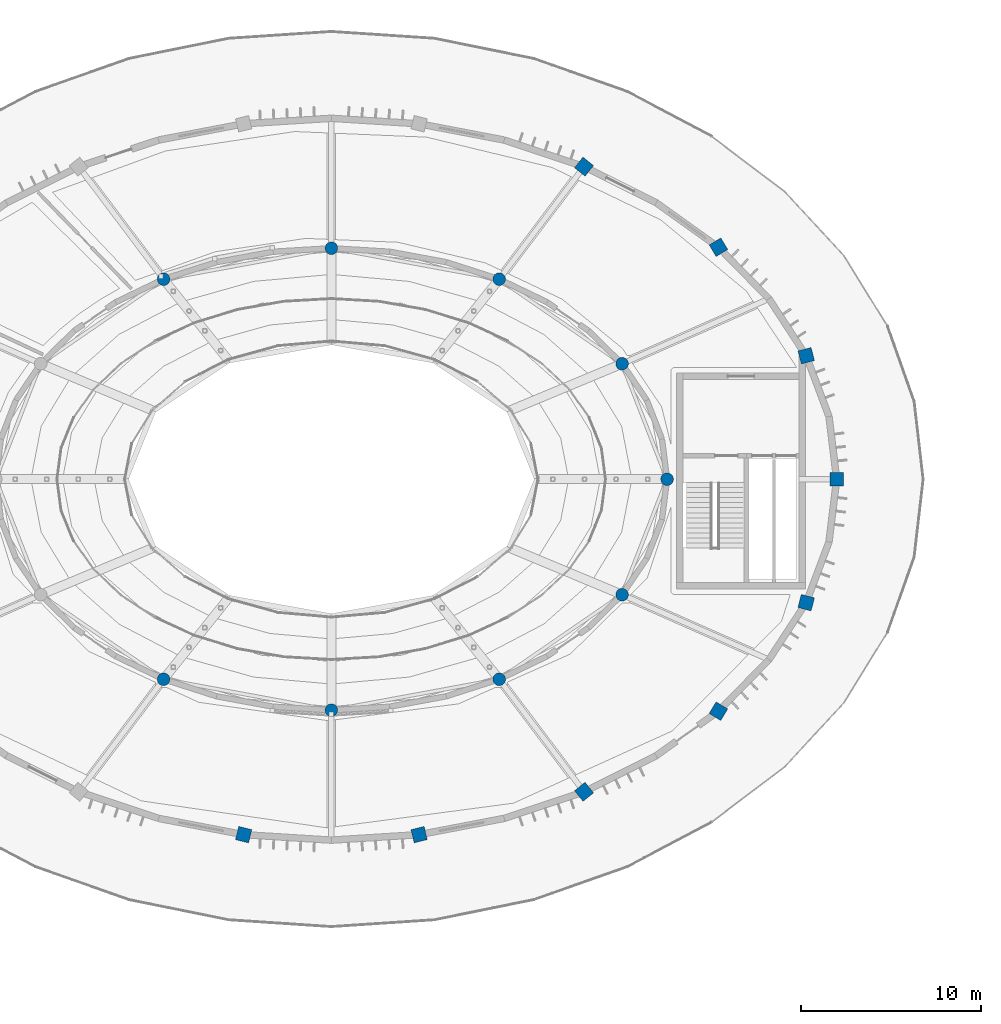
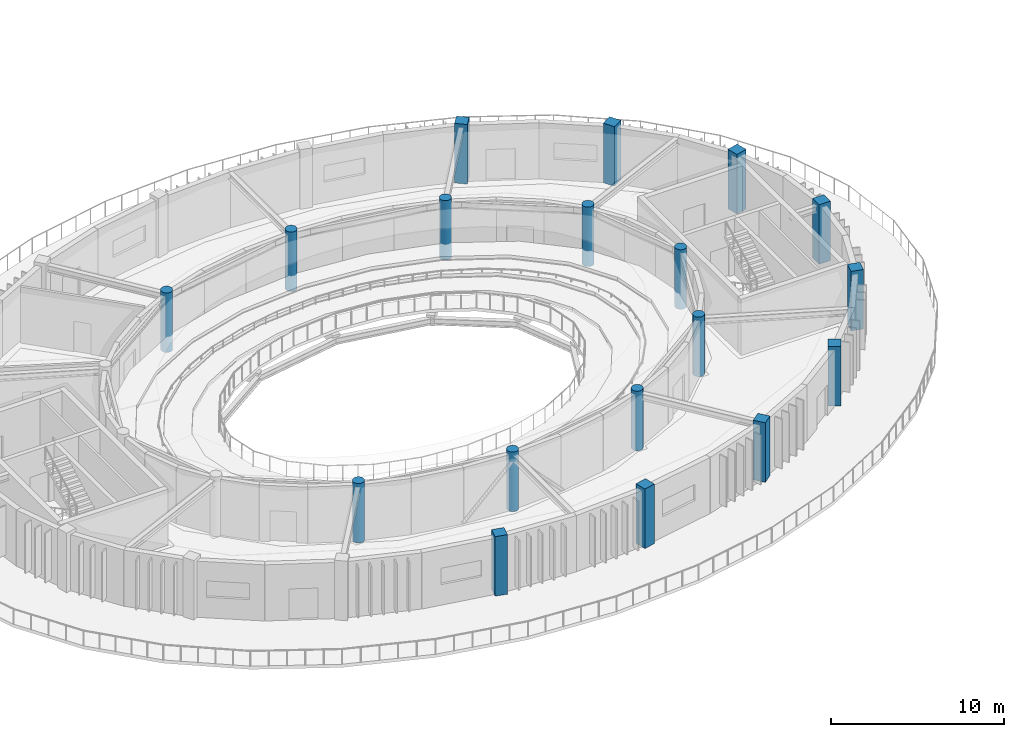
# One storey, part 4 of 63: 18 columns.
"""IFC4 building model written with IfcOpenShell, lengths in metres."""

from ifc_helpers import new_model, si_unit, direction, frame, origin, origin_2d, place, context, subcontext, project, spatial, rectangle, circle, extrude, material, material_profile, profile_set, type_object, element, save


model = new_model("IFC4")

# Units and contexts
model_context = context("Model", 3, precision=1e-05, world=origin(), true_north=direction((0.0, 1.0)))
body_context = subcontext(model_context, "Body", "Model", "MODEL_VIEW")
ifc_project = project(units=[si_unit("LENGTHUNIT", "METRE"), si_unit("AREAUNIT", "SQUARE_METRE"), si_unit("VOLUMEUNIT", "CUBIC_METRE"), si_unit("PLANEANGLEUNIT", "RADIAN"), si_unit("MASSUNIT", "GRAM", prefix="KILO")], contexts=[model_context])

# Site, building, storey
site_placement = place(None, origin())
site = spatial("IfcSite", under=ifc_project, at=site_placement, CompositionType="ELEMENT")
building_placement = place(site_placement, origin())
building = spatial("IfcBuilding", under=site, at=building_placement, Name="Tarnveldt Headland Concert Hall", CompositionType="ELEMENT")
storey_placement = place(building_placement, frame((0.0, 0.0, 14.39990234375)))
storey = spatial("IfcBuildingStorey", under=building, at=storey_placement, Name="L03", CompositionType="ELEMENT", Elevation=14.39990234375)

# Columns
ifc_material = material(Name="Concrete C40/50", Category="concrete")
ifc_material_profile_1 = material_profile(ifc_material, rectangle(XDim=0.75, YDim=0.75, at=origin_2d()), Name="RC 750x750", Category="concrete")
ifc_profile_set_1 = profile_set([ifc_material_profile_1], Name="Concrete C40/50")
column_type_1 = type_object("IfcColumnType", Name="CC-750", PredefinedType="COLUMN", material=ifc_profile_set_1)
for number, where, z_axis, x_axis, name in (
    (1, (111.5, 54.5, 0.0), (0.0, 0.0, 1.0), (1.0, 0.0, 0.0), "Column V2DC01 L03"),
    (2, (109.811279296875, 61.34033203125, 0.0), (0.0, 0.0, 1.0), (0.967841021032, 0.251562632376, 0.0), "Column V2DC02 L03"),
    (3, (104.94921875, 67.355712890625, 0.0), (0.0, 0.0, 1.0), (0.85770617722, 0.514140169175, 0.0), "Column V2DC03 L03"),
    (4, (97.5, 71.820556640625, 0.0), (0.0, 0.0, 1.0), (0.628641963719, 0.777694851116, 0.0), "Column V2DC04 L03"),
    (5, (78.637939453125, 34.8037109375, 0.0), (0.0, 0.0, 1.0), (-0.239719743609, -0.970842131618, 0.0), "Column V2DC14 L03"),
    (6, (88.362060546875, 34.8037109375, 0.0), (0.0, 0.0, 1.0), (0.239719743609, -0.970842131618, 0.0), "Column V2DC15 L03"),
    (7, (97.5, 37.179443359375, 0.0), (0.0, 0.0, 1.0), (0.628641963719, -0.777694851116, 0.0), "Column V2DC16 L03"),
    (8, (104.94921875, 41.644287109375, 0.0), (0.0, 0.0, 1.0), (0.85770617722, -0.514140169175, 0.0), "Column V2DC17 L03"),
    (9, (109.811279296875, 47.65966796875, 0.0), (0.0, 0.0, 1.0), (0.967841021032, -0.251562632376, 0.0), "Column V2DC18 L03"),
):
    element("IfcColumn", number, at=place(storey_placement, frame(where, z_axis=z_axis, x_axis=x_axis)), inside=storey, type_object=column_type_1, Name=name, PredefinedType="COLUMN", context=body_context, shape_type="SweptSolid", body=[
        extrude(rectangle(XDim=0.75, YDim=0.75, at=origin_2d()), origin(), (0.0, 0.0, 1.0), 4.2001953125),
    ])
ifc_material_profile_2 = material_profile(ifc_material, circle(Radius=0.35009765625, at=origin_2d()), Name="RC D700", Category="concrete")
ifc_profile_set_2 = profile_set([ifc_material_profile_2], Name="Concrete C40/50")
column_type_2 = type_object("IfcColumnType", Name="DC-700", PredefinedType="COLUMN", material=ifc_profile_set_2)
for number, where, z_axis, x_axis, name in (
    (10, (102.10009765625, 54.5, 0.0), (0.0, 0.0, 1.0), (1.0, 0.0, 0.0), "Column V2IC01 L03"),
    (11, (99.608154296875, 60.89990234375, 0.0), (0.0, 0.0, 1.0), (0.929326043111, 0.369260213935, 0.0), "Column V2IC02 L03"),
    (12, (92.800048828125, 65.585205078125, 0.0), (0.0, 0.0, 1.0), (0.642787609687, 0.766044443119, 0.0), "Column V2IC03 L03"),
    (13, (83.5, 67.300048828125, 0.0), (0.0, 0.0, 1.0), (0.0, 1.0, 0.0), "Column V2IC04 L03"),
    (14, (74.199951171875, 65.585205078125, 0.0), (0.0, 0.0, 1.0), (-0.642787609687, 0.766044443119, 0.0), "Column V2IC05 L03"),
    (15, (74.199951171875, 43.414794921875, 0.0), (0.0, 0.0, 1.0), (-0.642787609687, -0.766044443119, 0.0), "Column V2IC09 L03"),
    (16, (83.5, 41.699951171875, 0.0), (0.0, 0.0, 1.0), (0.0, -1.0, 0.0), "Column V2IC10 L03"),
    (17, (92.800048828125, 43.414794921875, 0.0), (0.0, 0.0, 1.0), (0.642787609687, -0.766044443119, 0.0), "Column V2IC11 L03"),
    (18, (99.608154296875, 48.10009765625, 0.0), (0.0, 0.0, 1.0), (0.929326043111, -0.369260213935, 0.0), "Column V2IC12 L03"),
):
    element("IfcColumn", number, at=place(storey_placement, frame(where, z_axis=z_axis, x_axis=x_axis)), inside=storey, type_object=column_type_2, Name=name, PredefinedType="COLUMN", context=body_context, shape_type="SweptSolid", body=[
        extrude(circle(Radius=0.35009765625, at=origin_2d()), origin(), (0.0, 0.0, 1.0), 4.2001953125),
    ])

save(model, "model.ifc")
